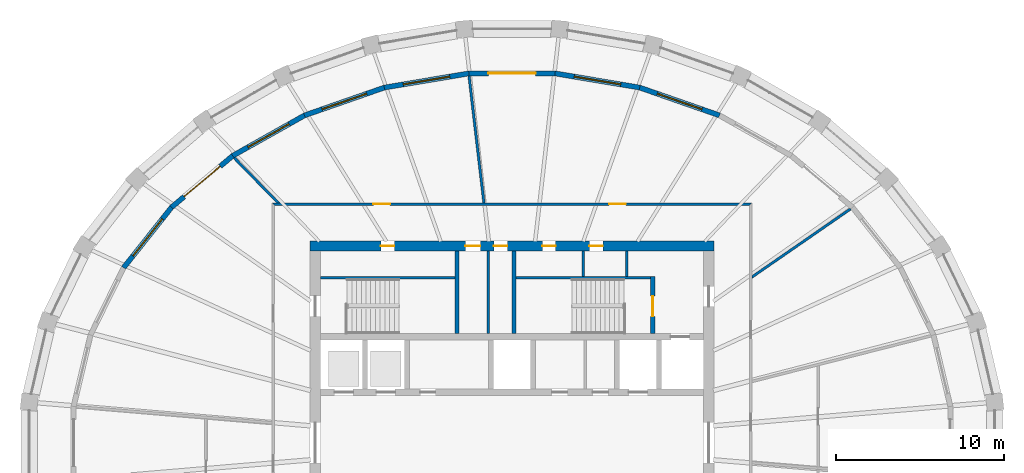
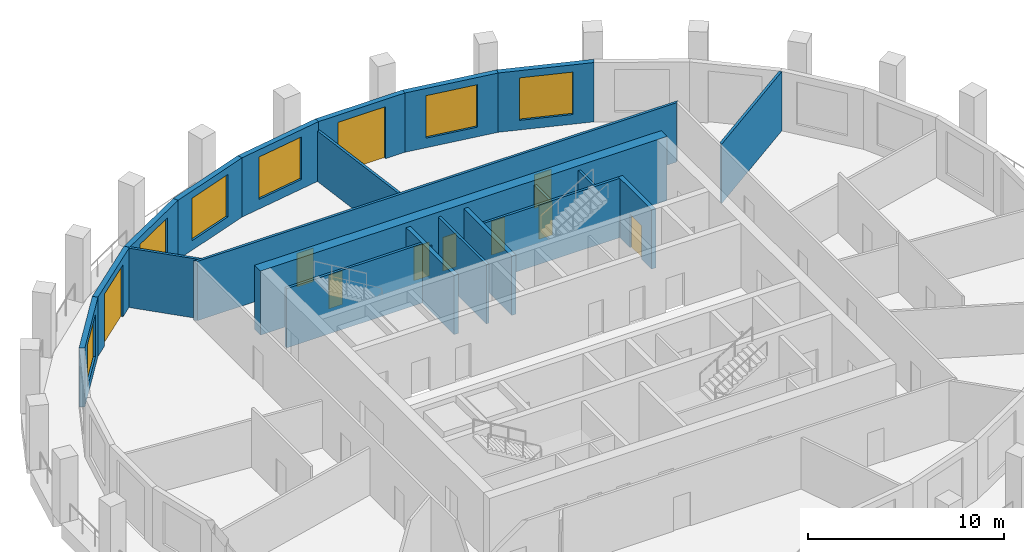
# One storey, part 6 of 10: 21 walls, 10 doors, 6 windows, 16 openings.
"""IFC4 building model written with IfcOpenShell, lengths in metres."""

import ifcopenshell
import ifcopenshell.guid

model = None  # the IFC model being written
_history = None  # IfcOwnerHistory: only IFC2X3 demands one
_inside = {}  # id of a spatial element -> (the spatial element, [elements in it])
_under = {}  # id of a project, library or spatial element -> (it, [spatial elements below it])
_declared = {}  # id of a project -> (the project, [libraries it declares])
_typed = {}  # id of a type object -> (the type object, [elements of that type])
_made_of = {}  # id of a material, layer set ... -> (it, [elements and type objects made of it])


def new_model(schema):
    """Start an empty IFC model of exactly this schema.

    Asked for "IFC4X3", IfcOpenShell would pick the latest addendum, in which some entities
    have other attributes; the version numbers below select the first issue.
    IFC2X3 requires an IfcOwnerHistory on every rooted entity: one is made here for all.
    """
    global model, _history
    if schema == "IFC4X3":
        model = ifcopenshell.file(schema_version=(4, 3, 0, 0))
    else:
        model = ifcopenshell.file(schema=schema)
    _inside.clear()
    _under.clear()
    _declared.clear()
    _typed.clear()
    _made_of.clear()
    _history = None
    if model.schema == "IFC2X3":
        org = make("IfcOrganization", Name="unknown")
        user = make(
            "IfcPersonAndOrganization",
            ThePerson=make("IfcPerson", FamilyName="unknown"),
            TheOrganization=org,
        )
        app = make(
            "IfcApplication",
            ApplicationDeveloper=org,
            Version="unknown",
            ApplicationFullName="unknown",
            ApplicationIdentifier="unknown",
        )
        _history = make(
            "IfcOwnerHistory",
            OwningUser=user,
            OwningApplication=app,
            ChangeAction="ADDED",
            CreationDate=0,
        )
    return model


def make(cls, **values):
    """One entity of the class cls with the attributes given. An attribute that is None is left unset."""
    return model.create_entity(
        cls, **{name: value for name, value in values.items() if value is not None}
    )


def rooted(cls, **values):
    """An entity with a GlobalId (a new one), such as an element, a storey or a relation."""
    return make(cls, GlobalId=ifcopenshell.guid.new(), OwnerHistory=_history, **values)


def si_unit(unit_type, name, prefix=None):
    """IfcSIUnit, for example si_unit("LENGTHUNIT", "METRE", prefix="MILLI")."""
    return make("IfcSIUnit", UnitType=unit_type, Prefix=prefix, Name=name)


def assignment(units):
    """IfcUnitAssignment: the units of a project."""
    return None if units is None else make("IfcUnitAssignment", Units=units)


def point(xyz):
    """IfcCartesianPoint."""
    return None if xyz is None else make("IfcCartesianPoint", Coordinates=xyz)


def direction(xyz):
    """IfcDirection."""
    return None if xyz is None else make("IfcDirection", DirectionRatios=xyz)


def frame(location, z_axis=None, x_axis=None):
    """IfcAxis2Placement3D, a coordinate frame: its origin and axes. An axis left out is left unset."""
    return make(
        "IfcAxis2Placement3D",
        Location=point(location),
        Axis=direction(z_axis),
        RefDirection=direction(x_axis),
    )


def frame_2d(location, x_axis=None):
    """IfcAxis2Placement2D, a coordinate frame in the plane: its origin and x axis."""
    return make(
        "IfcAxis2Placement2D", Location=point(location), RefDirection=direction(x_axis)
    )


def origin():
    """The frame at (0, 0, 0) with its axes left unset."""
    return frame((0.0, 0.0, 0.0))


def place(relative_to, where):
    """IfcLocalPlacement: puts the frame where relative to a parent placement (None: the world)."""
    return make(
        "IfcLocalPlacement", PlacementRelTo=relative_to, RelativePlacement=where
    )


def context(
    kind, dimensions, precision=None, world=None, true_north=None, identifier=None
):
    """IfcGeometricRepresentationContext, for example the 3D "Model" context."""
    return make(
        "IfcGeometricRepresentationContext",
        ContextIdentifier=identifier,
        ContextType=kind,
        CoordinateSpaceDimension=dimensions,
        Precision=precision,
        WorldCoordinateSystem=world,
        TrueNorth=true_north,
    )


def subcontext(parent, identifier, kind, view, scale=None):
    """IfcGeometricRepresentationSubContext, for example "Body" below "Model"."""
    return make(
        "IfcGeometricRepresentationSubContext",
        ContextIdentifier=identifier,
        ContextType=kind,
        ParentContext=parent,
        TargetScale=scale,
        TargetView=view,
    )


def project(units=None, contexts=None):
    """IfcProject with its units and contexts."""
    return rooted(
        "IfcProject",
        Name="project",
        RepresentationContexts=contexts,
        UnitsInContext=assignment(units),
    )


def spatial(cls, under=None, at=None, **own):
    """A site, building, storey or space (cls), placed at a placement, below another one or the project."""
    s = rooted(cls, ObjectPlacement=at, **own)
    if under is not None:
        _under.setdefault(under.id(), (under, []))[1].append(s)
    return s


def polyline(points):
    """IfcPolyline through the points."""
    return make("IfcPolyline", Points=[point(p) for p in points])


def profile(cls, at=None, kind="AREA", **sizes):
    """A parametric profile (cls). Its sizes go by their IFC names, for example OverallWidth=200.0."""
    return make(cls, ProfileType=kind, Position=at, **sizes)


def rectangle(**sizes):
    """IfcRectangleProfileDef."""
    return profile("IfcRectangleProfileDef", **sizes)


def outline(outer, holes=None, kind="AREA"):
    """IfcArbitraryClosedProfileDef: a profile drawn as a closed curve; with holes, ...WithVoids."""
    if holes is None:
        return make("IfcArbitraryClosedProfileDef", ProfileType=kind, OuterCurve=outer)
    return make(
        "IfcArbitraryProfileDefWithVoids",
        ProfileType=kind,
        OuterCurve=outer,
        InnerCurves=holes,
    )


def extrude(swept, where, along, depth):
    """IfcExtrudedAreaSolid: the profile swept, set in the frame where, extruded along a direction by depth."""
    return make(
        "IfcExtrudedAreaSolid",
        SweptArea=swept,
        Position=where,
        ExtrudedDirection=direction(along),
        Depth=depth,
    )


def shape(context_of_items, identifier, shape_type, items):
    """IfcShapeRepresentation: the items that make up one representation, for example the "Body"."""
    return make(
        "IfcShapeRepresentation",
        ContextOfItems=context_of_items,
        RepresentationIdentifier=identifier,
        RepresentationType=shape_type,
        Items=items,
    )


def material(Name=None, Category=None):
    """IfcMaterial."""
    return make("IfcMaterial", Name=Name, Category=Category)


def layer(
    of_material, thickness, ventilated=None, Name=None, Category=None, Priority=None
):
    """IfcMaterialLayer: one layer of a wall or slab, of a material (None: an air gap)."""
    return make(
        "IfcMaterialLayer",
        Material=of_material,
        LayerThickness=thickness,
        IsVentilated=ventilated,
        Name=Name,
        Category=Category,
        Priority=Priority,
    )


def layer_set(layers, Name=None):
    """IfcMaterialLayerSet."""
    return make("IfcMaterialLayerSet", MaterialLayers=layers, LayerSetName=Name)


def made_of(thing, what):
    """Note that an element or type object is made of a material, layer set ...; save() writes the relation."""
    if what is not None:
        _made_of.setdefault(what.id(), (what, []))[1].append(thing)
    return thing


def type_object(cls, material=None, **own):
    """A type object (cls), such as IfcWallType, which elements share."""
    return made_of(rooted(cls, **own), material)


def element(
    cls,
    number,
    at=None,
    inside=None,
    cuts=None,
    type_object=None,
    material=None,
    context=None,
    identifier="Body",
    shape_type=None,
    held_by="IfcProductDefinitionShape",
    body=None,
    shapes=None,
    **own,
):
    """One element of the class cls, such as IfcWall. Its Tag is "e" and its number.

    at: its placement. inside: the storey or other place that contains it. cuts: it is an
    opening in that element (IfcRelVoidsElement). A single representation is given by context,
    identifier, shape_type and body (its items); several are given by shapes. held_by: the class
    of the entity that holds the representations. save() writes the other relations.
    """
    e = rooted(cls, Tag="e%d" % number, ObjectPlacement=at, **own)
    if body is not None:
        shapes = [shape(context, identifier, shape_type, body)]
    if shapes is not None:
        e.Representation = make(held_by, Representations=shapes)
    if inside is not None:
        _inside.setdefault(inside.id(), (inside, []))[1].append(e)
    if cuts is not None:
        rooted(
            "IfcRelVoidsElement", RelatingBuildingElement=cuts, RelatedOpeningElement=e
        )
    if type_object is not None:
        _typed.setdefault(type_object.id(), (type_object, []))[1].append(e)
    return made_of(e, material)


def fill(opening, filler):
    """IfcRelFillsElement: the door or window that sits in an opening."""
    return rooted(
        "IfcRelFillsElement",
        RelatingOpeningElement=opening,
        RelatedBuildingElement=filler,
    )


def aggregate(whole, parts):
    """IfcRelAggregates: a whole, such as a stair, and the parts it consists of."""
    return rooted("IfcRelAggregates", RelatingObject=whole, RelatedObjects=parts)


def save(model, path):
    """Write the relations noted so far, then the file.

    IfcRelAggregates (storeys below a building ...), IfcRelContainedInSpatialStructure (elements
    in a storey), IfcRelDefinesByType, IfcRelAssociatesMaterial and IfcRelDeclares: one each for
    every whole, place, type object, material and project.
    """
    for whole, parts in _under.values():
        aggregate(whole, parts)
    for where, things in _inside.values():
        rooted(
            "IfcRelContainedInSpatialStructure",
            RelatedElements=things,
            RelatingStructure=where,
        )
    for kind, things in _typed.values():
        rooted("IfcRelDefinesByType", RelatedObjects=things, RelatingType=kind)
    for what, things in _made_of.values():
        rooted("IfcRelAssociatesMaterial", RelatedObjects=things, RelatingMaterial=what)
    for by, libraries in _declared.values():
        rooted("IfcRelDeclares", RelatingContext=by, RelatedDefinitions=libraries)
    model.write(path)


model = new_model("IFC4")

# Units and contexts
model_context = context("Model", 3, precision=1e-05, world=origin(), true_north=direction((0.0, 1.0)))
body_context = subcontext(model_context, "Body", "Model", "MODEL_VIEW")
ifc_project = project(units=[si_unit("LENGTHUNIT", "METRE"), si_unit("AREAUNIT", "SQUARE_METRE"), si_unit("VOLUMEUNIT", "CUBIC_METRE"), si_unit("PLANEANGLEUNIT", "RADIAN"), si_unit("MASSUNIT", "GRAM", prefix="KILO")], contexts=[model_context])

# Site, building, storey
site_placement = place(None, origin())
site = spatial("IfcSite", under=ifc_project, at=site_placement, CompositionType="ELEMENT")
building_placement = place(site_placement, origin())
building = spatial("IfcBuilding", under=site, at=building_placement, Name="Halqa Exchange Tower", CompositionType="ELEMENT")
storey_placement = place(building_placement, frame((0.0, 0.0, 304.300048828125)))
storey = spatial("IfcBuildingStorey", under=building, at=storey_placement, Name="L71", CompositionType="ELEMENT", Elevation=304.300048828125)

# Wall
ifc_material_1 = material(Name="Fire-rated gypsum board")
ifc_layer_1 = layer(ifc_material_1, 0.14990234375)
ifc_layer_set_1 = layer_set([ifc_layer_1], Name="Fire-rated gypsum board")
wall_type_1 = type_object("IfcWallType", Name="Fire partition EI 60 150", PredefinedType="PARTITIONING", material=ifc_layer_set_1)
wall_1_placement = place(storey_placement, frame((-16.524658203125, 16.94970703125, 0.0), z_axis=(0.0, 0.0, 1.0), x_axis=(0.698599984797, -0.715512446602, 0.0)))
element("IfcWall", 1, at=wall_1_placement, inside=storey, type_object=wall_type_1, Name="L71-PWL-004", PredefinedType="PARTITIONING", context=body_context, shape_type="SweptSolid", body=[
    extrude(outline(polyline([(0.0, -0.074951171875), (1.83251953125, -0.074951171875), (3.6650390625, -0.074951171875), (3.81103515625, 0.07470703125), (3.81103515625, 0.074951171875), (1.918212890625, 0.074951171875), (0.025390625, 0.074951171875), (0.00537109375, 0.0), (0.0, -0.07373046875), (0.0, -0.074951171875)])), origin(), (0.0, 0.0, 1.0), 3.699951171875),
])

# Wall, openings, doors
wall_2_placement = place(storey_placement, frame((-14.27490234375, 14.199951171875, 0.0), z_axis=(0.0, 0.0, 1.0), x_axis=(1.0, 0.0, 0.0)))
wall_2 = element("IfcWall", 2, at=wall_2_placement, inside=storey, type_object=wall_type_1, Name="L71-PWL-008", PredefinedType="PARTITIONING", context=body_context, shape_type="SweptSolid", body=[
    extrude(outline(polyline([(0.14990234375, -0.074951171875), (2.033203125, -0.074951171875), (3.91650390625, -0.074951171875), (5.7998046875, -0.074951171875), (7.683349609375, -0.074951171875), (9.566650390625, -0.074951171875), (11.449951171875, -0.074951171875), (13.333251953125, -0.074951171875), (15.216552734375, -0.074951171875), (17.099853515625, -0.074951171875), (18.983154296875, -0.074951171875), (20.866455078125, -0.074951171875), (22.75, -0.074951171875), (24.63330078125, -0.074951171875), (26.5166015625, -0.074951171875), (28.39990234375, -0.074951171875), (28.5498046875, 0.074951171875), (28.5498046875, 0.074951171875), (26.646484375, 0.074951171875), (24.7431640625, 0.074951171875), (22.83984375, 0.074951171875), (20.9365234375, 0.074951171875), (19.033203125, 0.074951171875), (17.1298828125, 0.074951171875), (15.2265625, 0.074951171875), (13.3232421875, 0.074951171875), (11.419921875, 0.074951171875), (9.5166015625, 0.074951171875), (7.61328125, 0.074951171875), (5.7099609375, 0.074951171875), (3.806640625, 0.074951171875), (1.9033203125, 0.074951171875), (0.0, 0.074951171875), (0.14990234375, -0.074951171875)])), origin(), (0.0, 0.0, 1.0), 3.699951171875),
])
opening_1_placement = place(wall_2_placement, frame((20.044921875, 0.0, 0.0)))
opening_1 = element("IfcOpeningElement", 3, at=opening_1_placement, cuts=wall_2, Name="Opening 22-11", PredefinedType="OPENING", context=body_context, shape_type="SweptSolid", body=[
    extrude(rectangle(XDim=1.0, YDim=2.10009765625, at=frame_2d((0.5, 1.050048828125))), frame((0.0, 0.0869140625, 0.0), z_axis=(0.0, -1.0, 0.0), x_axis=(1.0, 0.0, 0.0)), (0.0, 0.0, 1.0), 0.173828125),
])
opening_2_placement = place(wall_2_placement, frame((6.02490234375, 0.0, 0.0)))
opening_2 = element("IfcOpeningElement", 4, at=opening_2_placement, cuts=wall_2, Name="Opening 22-12", PredefinedType="OPENING", context=body_context, shape_type="SweptSolid", body=[
    extrude(rectangle(XDim=1.0, YDim=2.10009765625, at=frame_2d((0.5, 1.050048828125))), frame((0.0, 0.0869140625, 0.0), z_axis=(0.0, -1.0, 0.0), x_axis=(1.0, 0.0, 0.0)), (0.0, 0.0, 1.0), 0.173828125),
])
ifc_material_2 = material(Name="Steel fire door leaf", Category="steel")
door_type_1 = type_object("IfcDoorType", Name="Fire door FD30S 1000 x 2100", OperationType="SINGLE_SWING_LEFT", PredefinedType="DOOR", material=ifc_material_2)
door_1_placement = place(opening_1_placement, origin())
door_1 = element("IfcDoor", 5, at=door_1_placement, inside=storey, type_object=door_type_1, Name="L71-IDR-011", OperationType="SINGLE_SWING_RIGHT", OverallHeight=2.10009765625, OverallWidth=1.0, PredefinedType="DOOR", context=body_context, shape_type="SweptSolid", body=[
    extrude(rectangle(XDim=1.0, YDim=2.10009765625, at=frame_2d((0.5, 1.050048828125))), frame((0.0, 0.02490234375, 0.0), z_axis=(0.0, -1.0, 0.0), x_axis=(1.0, 0.0, 0.0)), (0.0, 0.0, 1.0), 0.050048828125),
])
fill(opening_1, door_1)
door_2_placement = place(opening_2_placement, origin())
door_2 = element("IfcDoor", 6, at=door_2_placement, inside=storey, type_object=door_type_1, Name="L71-IDR-012", OperationType="SINGLE_SWING_RIGHT", OverallHeight=2.10009765625, OverallWidth=1.0, PredefinedType="DOOR", context=body_context, shape_type="SweptSolid", body=[
    extrude(rectangle(XDim=1.0, YDim=2.10009765625, at=frame_2d((0.5, 1.050048828125))), frame((0.0, 0.02490234375, 0.0), z_axis=(0.0, -1.0, 0.0), x_axis=(1.0, 0.0, 0.0)), (0.0, 0.0, 1.0), 0.050048828125),
])
fill(opening_2, door_2)

# Walls
wall_3_placement = place(storey_placement, frame((-1.667724609375, 14.2666015625, 0.0), z_axis=(0.0, 0.0, 1.0), x_axis=(-0.116619367809, 0.993176682696, 0.0)))
element("IfcWall", 7, at=wall_3_placement, inside=storey, type_object=wall_type_1, Name="L71-PWL-010", PredefinedType="PARTITIONING", context=body_context, shape_type="SweptSolid", body=[
    extrude(outline(polyline([(0.0, -0.074951171875), (1.898193359375, -0.074951171875), (3.79638671875, -0.074951171875), (5.694580078125, -0.074951171875), (7.5927734375, -0.074951171875), (7.59716796875, -0.03662109375), (7.59716796875, 0.074951171875), (5.7021484375, 0.074951171875), (3.80712890625, 0.074951171875), (1.912353515625, 0.074951171875), (0.017333984375, 0.074951171875), (0.0, -0.072021484375), (0.0, -0.074951171875)])), origin(), (0.0, 0.0, 1.0), 3.14990234375),
])
wall_4_placement = place(storey_placement, frame((14.232421875, 9.83251953125, 0.0), z_axis=(0.0, 0.0, 1.0), x_axis=(0.822725997435, 0.568438152436, 0.0)))
element("IfcWall", 8, at=wall_4_placement, inside=storey, type_object=wall_type_1, Name="L71-PWL-017", PredefinedType="PARTITIONING", context=body_context, shape_type="SweptSolid", body=[
    extrude(outline(polyline([(0.0, -0.074951171875), (1.79345703125, -0.074951171875), (3.5869140625, -0.074951171875), (5.38037109375, -0.074951171875), (7.173828125, -0.074951171875), (7.1689453125, -0.000732421875), (7.148193359375, 0.074951171875), (5.386962890625, 0.074951171875), (3.6259765625, 0.074951171875), (1.86474609375, 0.074951171875), (0.103515625, 0.074951171875), (0.0, -0.074951171875), (0.0, -0.074951171875)])), origin(), (0.0, 0.0, 1.0), 3.699951171875),
])
ifc_material_3 = material(Name="Gypsum board")
ifc_layer_2 = layer(ifc_material_3, 0.14990234375)
ifc_layer_set_2 = layer_set([ifc_layer_2], Name="Gypsum board")
wall_type_2 = type_object("IfcWallType", Name="Penthouse riser wall 150 gypsum", PredefinedType="PARTITIONING", material=ifc_layer_set_2)
wall_5_placement = place(storey_placement, frame((-1.425048828125, 6.5, 0.0), z_axis=(0.0, 0.0, 1.0), x_axis=(0.0, 1.0, 0.0)))
element("IfcWall", 9, at=wall_5_placement, inside=storey, type_object=wall_type_2, Name="Partition W1.425 N", PredefinedType="PARTITIONING", context=body_context, shape_type="SweptSolid", body=[
    extrude(rectangle(XDim=4.89990234375, YDim=0.14990234375, at=frame_2d((2.449951171875, 0.0))), origin(), (0.0, 0.0, 1.0), 3.699951171875),
])
for number, where, z_axis, x_axis, name in (
    (10, (4.22509765625, 9.89990234375, 0.0), (0.0, 0.0, 1.0), (0.0, 1.0, 0.0), "Partition E4.225 N"),
    (11, (6.824951171875, 9.89990234375, 0.0), (0.0, 0.0, 1.0), (0.0, 1.0, 0.0), "Firefighting lobby west wall N"),
):
    element("IfcWall", number, at=place(storey_placement, frame(where, z_axis=z_axis, x_axis=x_axis)), inside=storey, type_object=wall_type_2, Name=name, PredefinedType="PARTITIONING", context=body_context, shape_type="SweptSolid", body=[
        extrude(rectangle(XDim=1.5, YDim=0.14990234375, at=frame_2d((0.75, 0.0))), origin(), (0.0, 0.0, 1.0), 3.699951171875),
    ])

# Wall, openings, doors
ifc_material_4 = material(Name="Concrete C60/75", Category="concrete")
ifc_layer_3 = layer(ifc_material_4, 0.60009765625)
ifc_layer_set_3 = layer_set([ifc_layer_3], Name="Concrete C60/75")
wall_type_3 = type_object("IfcWallType", Name="RC core wall 600 C60/75", PredefinedType="SHEAR", material=ifc_layer_set_3)
wall_6_placement = place(storey_placement, frame((-12.0, 11.699951171875, 0.0), z_axis=(0.0, 0.0, 1.0), x_axis=(1.0, 0.0, 0.0)))
wall_6 = element("IfcWall", 12, at=wall_6_placement, inside=storey, type_object=wall_type_3, Name="Core wall north", PredefinedType="SHEAR", context=body_context, shape_type="SweptSolid", body=[
    extrude(rectangle(XDim=24.0, YDim=0.60009765625, at=frame_2d((12.0, 0.0))), origin(), (0.0, 0.0, 1.0), 4.0),
])
opening_3_placement = place(wall_6_placement, frame((9.22509765625, 0.0, 0.0)))
opening_3 = element("IfcOpeningElement", 13, at=opening_3_placement, cuts=wall_6, Name="Opening T22-C17", PredefinedType="OPENING", context=body_context, shape_type="SweptSolid", body=[
    extrude(rectangle(XDim=0.89990234375, YDim=2.10009765625, at=frame_2d((0.449951171875, 1.050048828125))), frame((0.0, 0.31201171875, 0.0), z_axis=(0.0, -1.0, 0.0), x_axis=(1.0, 0.0, 0.0)), (0.0, 0.0, 1.0), 0.6240234375),
])
opening_4_placement = place(wall_6_placement, frame((10.925048828125, 0.0, 0.0)))
opening_4 = element("IfcOpeningElement", 14, at=opening_4_placement, cuts=wall_6, Name="Opening T22-C18", PredefinedType="OPENING", context=body_context, shape_type="SweptSolid", body=[
    extrude(rectangle(XDim=0.800048828125, YDim=2.10009765625, at=frame_2d((0.39990234375, 1.050048828125))), frame((0.0, 0.31201171875, 0.0), z_axis=(0.0, -1.0, 0.0), x_axis=(1.0, 0.0, 0.0)), (0.0, 0.0, 1.0), 0.6240234375),
])
opening_5_placement = place(wall_6_placement, frame((4.199951171875, 0.0, 0.0)))
opening_5 = element("IfcOpeningElement", 15, at=opening_5_placement, cuts=wall_6, Name="Opening T22-C19", PredefinedType="OPENING", context=body_context, shape_type="SweptSolid", body=[
    extrude(rectangle(XDim=0.800048828125, YDim=2.10009765625, at=frame_2d((0.39990234375, 1.050048828125))), frame((0.0, 0.31201171875, 0.0), z_axis=(0.0, -1.0, 0.0), x_axis=(1.0, 0.0, 0.0)), (0.0, 0.0, 1.0), 0.6240234375),
])
opening_6_placement = place(wall_6_placement, frame((13.800048828125, 0.0, 0.0)))
opening_6 = element("IfcOpeningElement", 16, at=opening_6_placement, cuts=wall_6, Name="Opening T22-C20", PredefinedType="OPENING", context=body_context, shape_type="SweptSolid", body=[
    extrude(rectangle(XDim=0.800048828125, YDim=2.10009765625, at=frame_2d((0.39990234375, 1.050048828125))), frame((0.0, 0.31201171875, 0.0), z_axis=(0.0, -1.0, 0.0), x_axis=(1.0, 0.0, 0.0)), (0.0, 0.0, 1.0), 0.6240234375),
])
opening_7_placement = place(wall_6_placement, frame((16.60009765625, 0.0, 0.0)))
opening_7 = element("IfcOpeningElement", 17, at=opening_7_placement, cuts=wall_6, Name="Opening T22-C21", PredefinedType="OPENING", context=body_context, shape_type="SweptSolid", body=[
    extrude(rectangle(XDim=0.800048828125, YDim=2.10009765625, at=frame_2d((0.39990234375, 1.050048828125))), frame((0.0, 0.31201171875, 0.0), z_axis=(0.0, -1.0, 0.0), x_axis=(1.0, 0.0, 0.0)), (0.0, 0.0, 1.0), 0.6240234375),
])
ifc_material_5 = material(Name="Timber fire door leaf", Category="wood")
door_type_2 = type_object("IfcDoorType", Name="Core room door FD30 900 x 2100", OperationType="SINGLE_SWING_LEFT", PredefinedType="DOOR", material=ifc_material_5)
door_3_placement = place(opening_3_placement, frame((0.89990234375, 0.0, 0.0), z_axis=(0.0, 0.0, 1.0), x_axis=(-1.0, 0.0, 0.0)))
door_3 = element("IfcDoor", 18, at=door_3_placement, inside=storey, type_object=door_type_2, Name="Core room door", OperationType="SINGLE_SWING_RIGHT", OverallHeight=2.10009765625, OverallWidth=0.89990234375, PredefinedType="DOOR", context=body_context, shape_type="SweptSolid", body=[
    extrude(rectangle(XDim=0.89990234375, YDim=2.10009765625, at=frame_2d((0.449951171875, 1.050048828125))), frame((0.0, 0.02490234375, 0.0), z_axis=(0.0, -1.0, 0.0), x_axis=(1.0, 0.0, 0.0)), (0.0, 0.0, 1.0), 0.050048828125),
])
fill(opening_3, door_3)
door_type_3 = type_object("IfcDoorType", Name="Riser door FD60 800 x 2100", OperationType="SINGLE_SWING_LEFT", PredefinedType="DOOR", material=ifc_material_2)
door_4_placement = place(opening_4_placement, frame((0.800048828125, 0.0, 0.0), z_axis=(0.0, 0.0, 1.0), x_axis=(-1.0, 0.0, 0.0)))
door_4 = element("IfcDoor", 19, at=door_4_placement, inside=storey, type_object=door_type_3, Name="Core room door", OperationType="SINGLE_SWING_LEFT", OverallHeight=2.10009765625, OverallWidth=0.800048828125, PredefinedType="DOOR", context=body_context, shape_type="SweptSolid", body=[
    extrude(rectangle(XDim=0.800048828125, YDim=2.10009765625, at=frame_2d((0.39990234375, 1.050048828125))), frame((0.0, 0.02490234375, 0.0), z_axis=(0.0, -1.0, 0.0), x_axis=(1.0, 0.0, 0.0)), (0.0, 0.0, 1.0), 0.050048828125),
])
fill(opening_4, door_4)
door_5_placement = place(opening_5_placement, frame((0.800048828125, 0.0, 0.0), z_axis=(0.0, 0.0, 1.0), x_axis=(-1.0, 0.0, 0.0)))
door_5 = element("IfcDoor", 20, at=door_5_placement, inside=storey, type_object=door_type_3, Name="Core room door", OperationType="SINGLE_SWING_LEFT", OverallHeight=2.10009765625, OverallWidth=0.800048828125, PredefinedType="DOOR", context=body_context, shape_type="SweptSolid", body=[
    extrude(rectangle(XDim=0.800048828125, YDim=2.10009765625, at=frame_2d((0.39990234375, 1.050048828125))), frame((0.0, 0.02490234375, 0.0), z_axis=(0.0, -1.0, 0.0), x_axis=(1.0, 0.0, 0.0)), (0.0, 0.0, 1.0), 0.050048828125),
])
fill(opening_5, door_5)
door_6_placement = place(opening_6_placement, frame((0.800048828125, 0.0, 0.0), z_axis=(0.0, 0.0, 1.0), x_axis=(-1.0, 0.0, 0.0)))
door_6 = element("IfcDoor", 21, at=door_6_placement, inside=storey, type_object=door_type_3, Name="Core room door", OperationType="SINGLE_SWING_RIGHT", OverallHeight=2.10009765625, OverallWidth=0.800048828125, PredefinedType="DOOR", context=body_context, shape_type="SweptSolid", body=[
    extrude(rectangle(XDim=0.800048828125, YDim=2.10009765625, at=frame_2d((0.39990234375, 1.050048828125))), frame((0.0, 0.02490234375, 0.0), z_axis=(0.0, -1.0, 0.0), x_axis=(1.0, 0.0, 0.0)), (0.0, 0.0, 1.0), 0.050048828125),
])
fill(opening_6, door_6)
door_7_placement = place(opening_7_placement, frame((0.800048828125, 0.0, 0.0), z_axis=(0.0, 0.0, 1.0), x_axis=(-1.0, 0.0, 0.0)))
door_7 = element("IfcDoor", 22, at=door_7_placement, inside=storey, type_object=door_type_3, Name="Core room door", OperationType="SINGLE_SWING_LEFT", OverallHeight=2.10009765625, OverallWidth=0.800048828125, PredefinedType="DOOR", context=body_context, shape_type="SweptSolid", body=[
    extrude(rectangle(XDim=0.800048828125, YDim=2.10009765625, at=frame_2d((0.39990234375, 1.050048828125))), frame((0.0, 0.02490234375, 0.0), z_axis=(0.0, -1.0, 0.0), x_axis=(1.0, 0.0, 0.0)), (0.0, 0.0, 1.0), 0.050048828125),
])
fill(opening_7, door_7)

# Walls
ifc_material_6 = material(Name="Concrete C30/37", Category="concrete")
ifc_layer_4 = layer(ifc_material_6, 0.14990234375)
ifc_layer_set_4 = layer_set([ifc_layer_4], Name="Concrete C30/37")
wall_type_4 = type_object("IfcWallType", Name="RC stair wall 150 C30/37", PredefinedType="SHEAR", material=ifc_layer_set_4)
for number, where, z_axis, x_axis, name in (
    (23, (-11.39990234375, 9.824951171875, 0.0), (0.0, 0.0, 1.0), (1.0, 0.0, 0.0), "Stair ST1 north wall N"),
    (24, (0.25, 9.824951171875, 0.0), (0.0, 0.0, 1.0), (1.0, 0.0, 0.0), "Stair ST2 north wall N"),
):
    element("IfcWall", number, at=place(storey_placement, frame(where, z_axis=z_axis, x_axis=x_axis)), inside=storey, type_object=wall_type_4, Name=name, PredefinedType="SHEAR", context=body_context, shape_type="SweptSolid", body=[
        extrude(rectangle(XDim=8.0, YDim=0.14990234375, at=frame_2d((4.0, 0.0))), origin(), (0.0, 0.0, 1.0), 3.699951171875),
    ])
ifc_layer_5 = layer(ifc_material_6, 0.25)
ifc_layer_set_5 = layer_set([ifc_layer_5], Name="Concrete C30/37")
wall_type_5 = type_object("IfcWallType", Name="RC stair wall 250 C30/37", PredefinedType="SHEAR", material=ifc_layer_set_5)
for number, where, z_axis, x_axis, name in (
    (25, (-3.27490234375, 6.5, 0.0), (0.0, 0.0, 1.0), (0.0, 1.0, 0.0), "Stair ST1 east wall N"),
    (26, (0.125, 6.5, 0.0), (0.0, 0.0, 1.0), (0.0, 1.0, 0.0), "Stair ST2 west wall N"),
):
    element("IfcWall", number, at=place(storey_placement, frame(where, z_axis=z_axis, x_axis=x_axis)), inside=storey, type_object=wall_type_5, Name=name, PredefinedType="SHEAR", context=body_context, shape_type="SweptSolid", body=[
        extrude(rectangle(XDim=4.89990234375, YDim=0.25, at=frame_2d((2.449951171875, 0.0))), origin(), (0.0, 0.0, 1.0), 3.699951171875),
    ])

# Wall, opening, door
wall_7_placement = place(storey_placement, frame((8.375, 6.5, 0.0), z_axis=(0.0, 0.0, 1.0), x_axis=(0.0, 1.0, 0.0)))
wall_7 = element("IfcWall", 27, at=wall_7_placement, inside=storey, type_object=wall_type_5, Name="Stair ST2 east wall N", PredefinedType="SHEAR", context=body_context, shape_type="SweptSolid", body=[
    extrude(rectangle(XDim=3.39990234375, YDim=0.25, at=frame_2d((1.699951171875, 0.0))), origin(), (0.0, 0.0, 1.0), 3.699951171875),
])
opening_8_placement = place(wall_7_placement, frame((1.02490234375, 0.0, 0.0)))
opening_8 = element("IfcOpeningElement", 28, at=opening_8_placement, cuts=wall_7, Name="Opening T22-C12", PredefinedType="OPENING", context=body_context, shape_type="SweptSolid", body=[
    extrude(rectangle(XDim=1.199951171875, YDim=2.10009765625, at=frame_2d((0.60009765625, 1.050048828125))), frame((0.0, 0.136962890625, 0.0), z_axis=(0.0, -1.0, 0.0), x_axis=(1.0, 0.0, 0.0)), (0.0, 0.0, 1.0), 0.27392578125),
])
door_type_4 = type_object("IfcDoorType", Name="Stair door FD90 1200 x 2100", OperationType="SINGLE_SWING_LEFT", PredefinedType="DOOR", material=ifc_material_2)
door_8_placement = place(opening_8_placement, origin())
door_8 = element("IfcDoor", 29, at=door_8_placement, inside=storey, type_object=door_type_4, Name="Stair door ST2", OperationType="SINGLE_SWING_RIGHT", OverallHeight=2.10009765625, OverallWidth=1.199951171875, PredefinedType="DOOR", context=body_context, shape_type="SweptSolid", body=[
    extrude(rectangle(XDim=1.199951171875, YDim=2.10009765625, at=frame_2d((0.60009765625, 1.050048828125))), frame((0.0, 0.02490234375, 0.0), z_axis=(0.0, -1.0, 0.0), x_axis=(1.0, 0.0, 0.0)), (0.0, 0.0, 1.0), 0.050048828125),
])
fill(opening_8, door_8)

# Wall, opening, window
ifc_material_7 = material(Name="Limestone cladding", Category="masonry")
ifc_layer_6 = layer(ifc_material_7, 0.0400390625)
ifc_material_8 = material(Name="Ventilated cavity")
ifc_layer_7 = layer(ifc_material_8, 0.030029296875, ventilated=True)
ifc_material_9 = material(Name="Mineral wool insulation")
ifc_layer_8 = layer(ifc_material_9, 0.10009765625)
ifc_layer_9 = layer(ifc_material_6, 0.10009765625)
ifc_material_10 = material(Name="Internal plaster")
ifc_layer_10 = layer(ifc_material_10, 0.030029296875)
ifc_layer_set_6 = layer_set([ifc_layer_6, ifc_layer_7, ifc_layer_8, ifc_layer_9, ifc_layer_10], Name="Stone-faced insulated wall 300")
wall_type_6 = type_object("IfcWallType", Name="Stone-faced insulated wall 300", PredefinedType="STANDARD", material=ifc_layer_set_6)
wall_8_placement = place(storey_placement, frame((12.338134765625, 19.470703125, 0.0), z_axis=(0.0, 0.0, 1.0), x_axis=(-0.944251863618, 0.329223963365, 0.0)))
wall_8 = element("IfcWall", 30, at=wall_8_placement, inside=storey, type_object=wall_type_6, Name="Glass-line wall 6", PredefinedType="STANDARD", context=body_context, shape_type="SweptSolid", body=[
    extrude(outline(polyline([(-0.01318359375, -0.14990234375), (5.033935546875, -0.14990234375), (5.008544921875, 0.14990234375), (0.01318359375, 0.14990234375), (-0.01318359375, -0.14990234375)])), origin(), (0.0, 0.0, 1.0), 3.699951171875),
])
opening_9_placement = place(wall_8_placement, frame((1.110595703125, 0.0, 0.60009765625)))
opening_9 = element("IfcOpeningElement", 31, at=opening_9_placement, cuts=wall_8, Name="Opening W-F4-06", PredefinedType="OPENING", context=body_context, shape_type="SweptSolid", body=[
    extrude(rectangle(XDim=2.800048828125, YDim=2.64990234375, at=frame_2d((1.39990234375, 1.324951171875))), frame((0.0, 0.162109375, 0.0), z_axis=(0.0, -1.0, 0.0), x_axis=(1.0, 0.0, 0.0)), (0.0, 0.0, 1.0), 0.323974609375),
])
ifc_material_11 = material(Name="Clear low-emissivity glass in aluminium frame", Category="aluminium")
window_type = type_object("IfcWindowType", Name="Fixed clear glazed window 2800 x 2650", PartitioningType="DOUBLE_PANEL_VERTICAL", PredefinedType="WINDOW", material=ifc_material_11)
window_1_placement = place(opening_9_placement, origin())
window_1 = element("IfcWindow", 32, at=window_1_placement, inside=storey, type_object=window_type, Name="Window 4", OverallHeight=2.64990234375, OverallWidth=2.800048828125, PartitioningType="DOUBLE_PANEL_VERTICAL", PredefinedType="WINDOW", context=body_context, shape_type="SweptSolid", body=[
    extrude(rectangle(XDim=2.800048828125, YDim=2.64990234375, at=frame_2d((1.39990234375, 1.324951171875))), frame((0.0, 0.030029296875, 0.0), z_axis=(0.0, -1.0, 0.0), x_axis=(1.0, 0.0, 0.0)), (0.0, 0.0, 1.0), 0.06005859375),
])
fill(opening_9, window_1)

wall_9_placement = place(storey_placement, frame((7.596923828125, 21.123779296875, 0.0), z_axis=(0.0, 0.0, 1.0), x_axis=(-0.986269480969, 0.165143909695, 0.0)))
wall_9 = element("IfcWall", 33, at=wall_9_placement, inside=storey, type_object=wall_type_6, Name="Glass-line wall 7", PredefinedType="STANDARD", context=body_context, shape_type="SweptSolid", body=[
    extrude(outline(polyline([(-0.0126953125, -0.14990234375), (5.1142578125, -0.14990234375), (5.08935546875, 0.14990234375), (0.0126953125, 0.14990234375), (-0.0126953125, -0.14990234375)])), origin(), (0.0, 0.0, 1.0), 3.699951171875),
])
opening_10_placement = place(wall_9_placement, frame((1.15087890625, 0.0, 0.60009765625)))
opening_10 = element("IfcOpeningElement", 34, at=opening_10_placement, cuts=wall_9, Name="Opening W-F4-07", PredefinedType="OPENING", context=body_context, shape_type="SweptSolid", body=[
    extrude(rectangle(XDim=2.800048828125, YDim=2.64990234375, at=frame_2d((1.39990234375, 1.324951171875))), frame((0.0, 0.162109375, 0.0), z_axis=(0.0, -1.0, 0.0), x_axis=(1.0, 0.0, 0.0)), (0.0, 0.0, 1.0), 0.323974609375),
])
window_2_placement = place(opening_10_placement, origin())
window_2 = element("IfcWindow", 35, at=window_2_placement, inside=storey, type_object=window_type, Name="Window 4", OverallHeight=2.64990234375, OverallWidth=2.800048828125, PartitioningType="DOUBLE_PANEL_VERTICAL", PredefinedType="WINDOW", context=body_context, shape_type="SweptSolid", body=[
    extrude(rectangle(XDim=2.800048828125, YDim=2.64990234375, at=frame_2d((1.39990234375, 1.324951171875))), frame((0.0, 0.030029296875, 0.0), z_axis=(0.0, -1.0, 0.0), x_axis=(1.0, 0.0, 0.0)), (0.0, 0.0, 1.0), 0.06005859375),
])
fill(opening_10, window_2)

# Wall, opening, door
wall_10_placement = place(storey_placement, frame((2.565185546875, 21.96630859375, 0.0), z_axis=(0.0, 0.0, 1.0), x_axis=(-1.0, 0.0, 0.0)))
wall_10 = element("IfcWall", 36, at=wall_10_placement, inside=storey, type_object=wall_type_6, Name="Glass-line wall 8", PredefinedType="STANDARD", context=body_context, shape_type="SweptSolid", body=[
    extrude(outline(polyline([(-0.012451171875, -0.14990234375), (5.142822265625, -0.14990234375), (5.117919921875, 0.14990234375), (0.012451171875, 0.14990234375), (-0.012451171875, -0.14990234375)])), origin(), (0.0, 0.0, 1.0), 3.699951171875),
])
opening_11_placement = place(wall_10_placement, frame((1.1650390625, 0.0, 0.0)))
opening_11 = element("IfcOpeningElement", 37, at=opening_11_placement, cuts=wall_10, Name="Opening LG-F4-02", PredefinedType="OPENING", context=body_context, shape_type="SweptSolid", body=[
    extrude(rectangle(XDim=2.800048828125, YDim=3.25, at=frame_2d((1.39990234375, 1.625))), frame((0.0, 0.162109375, 0.0), z_axis=(0.0, -1.0, 0.0), x_axis=(1.0, 0.0, 0.0)), (0.0, 0.0, 1.0), 0.323974609375),
])
door_type_5 = type_object("IfcDoorType", Name="Glazed sliding loggia door 2800 x 3250", OperationType="DOUBLE_DOOR_SLIDING", PredefinedType="DOOR", material=ifc_material_11)
door_9_placement = place(opening_11_placement, origin())
door_9 = element("IfcDoor", 38, at=door_9_placement, inside=storey, type_object=door_type_5, Name="Loggia door 2", OperationType="DOUBLE_DOOR_SLIDING", OverallHeight=3.25, OverallWidth=2.800048828125, PredefinedType="DOOR", context=body_context, shape_type="SweptSolid", body=[
    extrude(rectangle(XDim=2.800048828125, YDim=3.25, at=frame_2d((1.39990234375, 1.625))), frame((0.0, 0.02490234375, 0.0), z_axis=(0.0, -1.0, 0.0), x_axis=(1.0, 0.0, 0.0)), (0.0, 0.0, 1.0), 0.050048828125),
])
fill(opening_11, door_9)

# Wall, opening, window
wall_11_placement = place(storey_placement, frame((-2.565185546875, 21.96630859375, 0.0), z_axis=(0.0, 0.0, 1.0), x_axis=(-0.986269480969, -0.165143909695, 0.0)))
wall_11 = element("IfcWall", 39, at=wall_11_placement, inside=storey, type_object=wall_type_6, Name="Glass-line wall 9", PredefinedType="STANDARD", context=body_context, shape_type="SweptSolid", body=[
    extrude(outline(polyline([(-0.012451171875, -0.14990234375), (5.114501953125, -0.14990234375), (5.089111328125, 0.14990234375), (0.012451171875, 0.14990234375), (-0.012451171875, -0.14990234375)])), origin(), (0.0, 0.0, 1.0), 3.699951171875),
])
opening_12_placement = place(wall_11_placement, frame((1.15087890625, 0.0, 0.60009765625)))
opening_12 = element("IfcOpeningElement", 40, at=opening_12_placement, cuts=wall_11, Name="Opening W-F4-09", PredefinedType="OPENING", context=body_context, shape_type="SweptSolid", body=[
    extrude(rectangle(XDim=2.800048828125, YDim=2.64990234375, at=frame_2d((1.39990234375, 1.324951171875))), frame((0.0, 0.162109375, 0.0), z_axis=(0.0, -1.0, 0.0), x_axis=(1.0, 0.0, 0.0)), (0.0, 0.0, 1.0), 0.323974609375),
])
window_3_placement = place(opening_12_placement, origin())
window_3 = element("IfcWindow", 41, at=window_3_placement, inside=storey, type_object=window_type, Name="Window 4", OverallHeight=2.64990234375, OverallWidth=2.800048828125, PartitioningType="DOUBLE_PANEL_VERTICAL", PredefinedType="WINDOW", context=body_context, shape_type="SweptSolid", body=[
    extrude(rectangle(XDim=2.800048828125, YDim=2.64990234375, at=frame_2d((1.39990234375, 1.324951171875))), frame((0.0, 0.030029296875, 0.0), z_axis=(0.0, -1.0, 0.0), x_axis=(1.0, 0.0, 0.0)), (0.0, 0.0, 1.0), 0.06005859375),
])
fill(opening_12, window_3)

wall_12_placement = place(storey_placement, frame((-7.596923828125, 21.123779296875, 0.0), z_axis=(0.0, 0.0, 1.0), x_axis=(-0.944251863618, -0.329223963365, 0.0)))
wall_12 = element("IfcWall", 42, at=wall_12_placement, inside=storey, type_object=wall_type_6, Name="Glass-line wall 10", PredefinedType="STANDARD", context=body_context, shape_type="SweptSolid", body=[
    extrude(outline(polyline([(-0.0126953125, -0.14990234375), (5.034423828125, -0.14990234375), (5.008056640625, 0.14990234375), (0.0126953125, 0.14990234375), (-0.0126953125, -0.14990234375)])), origin(), (0.0, 0.0, 1.0), 3.699951171875),
])
opening_13_placement = place(wall_12_placement, frame((1.110595703125, 0.0, 0.60009765625)))
opening_13 = element("IfcOpeningElement", 43, at=opening_13_placement, cuts=wall_12, Name="Opening W-F4-10", PredefinedType="OPENING", context=body_context, shape_type="SweptSolid", body=[
    extrude(rectangle(XDim=2.800048828125, YDim=2.64990234375, at=frame_2d((1.39990234375, 1.324951171875))), frame((0.0, 0.162109375, 0.0), z_axis=(0.0, -1.0, 0.0), x_axis=(1.0, 0.0, 0.0)), (0.0, 0.0, 1.0), 0.323974609375),
])
window_4_placement = place(opening_13_placement, origin())
window_4 = element("IfcWindow", 44, at=window_4_placement, inside=storey, type_object=window_type, Name="Window 4", OverallHeight=2.64990234375, OverallWidth=2.800048828125, PartitioningType="DOUBLE_PANEL_VERTICAL", PredefinedType="WINDOW", context=body_context, shape_type="SweptSolid", body=[
    extrude(rectangle(XDim=2.800048828125, YDim=2.64990234375, at=frame_2d((1.39990234375, 1.324951171875))), frame((0.0, 0.030029296875, 0.0), z_axis=(0.0, -1.0, 0.0), x_axis=(1.0, 0.0, 0.0)), (0.0, 0.0, 1.0), 0.06005859375),
])
fill(opening_13, window_4)

wall_13_placement = place(storey_placement, frame((-12.338134765625, 19.470703125, 0.0), z_axis=(0.0, 0.0, 1.0), x_axis=(-0.871570211895, -0.490270706588, 0.0)))
wall_13 = element("IfcWall", 45, at=wall_13_placement, inside=storey, type_object=wall_type_6, Name="Glass-line wall 11", PredefinedType="STANDARD", context=body_context, shape_type="SweptSolid", body=[
    extrude(outline(polyline([(-0.01318359375, -0.14990234375), (4.91162109375, -0.14990234375), (4.88330078125, 0.14990234375), (0.01318359375, 0.14990234375), (-0.01318359375, -0.14990234375)])), origin(), (0.0, 0.0, 1.0), 3.699951171875),
])
opening_14_placement = place(wall_13_placement, frame((1.048828125, 0.0, 0.60009765625)))
opening_14 = element("IfcOpeningElement", 46, at=opening_14_placement, cuts=wall_13, Name="Opening W-F4-11", PredefinedType="OPENING", context=body_context, shape_type="SweptSolid", body=[
    extrude(rectangle(XDim=2.800048828125, YDim=2.64990234375, at=frame_2d((1.39990234375, 1.324951171875))), frame((0.0, 0.162109375, 0.0), z_axis=(0.0, -1.0, 0.0), x_axis=(1.0, 0.0, 0.0)), (0.0, 0.0, 1.0), 0.323974609375),
])
window_5_placement = place(opening_14_placement, origin())
window_5 = element("IfcWindow", 47, at=window_5_placement, inside=storey, type_object=window_type, Name="Window 4", OverallHeight=2.64990234375, OverallWidth=2.800048828125, PartitioningType="DOUBLE_PANEL_VERTICAL", PredefinedType="WINDOW", context=body_context, shape_type="SweptSolid", body=[
    extrude(rectangle(XDim=2.800048828125, YDim=2.64990234375, at=frame_2d((1.39990234375, 1.324951171875))), frame((0.0, 0.030029296875, 0.0), z_axis=(0.0, -1.0, 0.0), x_axis=(1.0, 0.0, 0.0)), (0.0, 0.0, 1.0), 0.06005859375),
])
fill(opening_14, window_5)

# Wall, opening, door
wall_14_placement = place(storey_placement, frame((-16.606689453125, 17.069580078125, 0.0), z_axis=(0.0, 0.0, 1.0), x_axis=(-0.765059193792, -0.643959959931, 0.0)))
wall_14 = element("IfcWall", 48, at=wall_14_placement, inside=storey, type_object=wall_type_6, Name="Glass-line wall 12", PredefinedType="STANDARD", context=body_context, shape_type="SweptSolid", body=[
    extrude(outline(polyline([(-0.01416015625, -0.14990234375), (4.762939453125, -0.14990234375), (4.732666015625, 0.14990234375), (0.01416015625, 0.14990234375), (-0.01416015625, -0.14990234375)])), origin(), (0.0, 0.0, 1.0), 3.699951171875),
])
opening_15_placement = place(wall_14_placement, frame((0.973876953125, 0.0, 0.0)))
opening_15 = element("IfcOpeningElement", 49, at=opening_15_placement, cuts=wall_14, Name="Opening LG-F4-03", PredefinedType="OPENING", context=body_context, shape_type="SweptSolid", body=[
    extrude(rectangle(XDim=2.800048828125, YDim=3.25, at=frame_2d((1.39990234375, 1.625))), frame((0.0, 0.162109375, 0.0), z_axis=(0.0, -1.0, 0.0), x_axis=(1.0, 0.0, 0.0)), (0.0, 0.0, 1.0), 0.323974609375),
])
door_10_placement = place(opening_15_placement, origin())
door_10 = element("IfcDoor", 50, at=door_10_placement, inside=storey, type_object=door_type_5, Name="Loggia door 3", OperationType="DOUBLE_DOOR_SLIDING", OverallHeight=3.25, OverallWidth=2.800048828125, PredefinedType="DOOR", context=body_context, shape_type="SweptSolid", body=[
    extrude(rectangle(XDim=2.800048828125, YDim=3.25, at=frame_2d((1.39990234375, 1.625))), frame((0.0, 0.02490234375, 0.0), z_axis=(0.0, -1.0, 0.0), x_axis=(1.0, 0.0, 0.0)), (0.0, 0.0, 1.0), 0.050048828125),
])
fill(opening_15, door_10)

# Wall, opening, window
wall_15_placement = place(storey_placement, frame((-20.239013671875, 14.01220703125, 0.0), z_axis=(0.0, 0.0, 1.0), x_axis=(-0.621682706372, -0.78326918272, 0.0)))
wall_15 = element("IfcWall", 51, at=wall_15_placement, inside=storey, type_object=wall_type_6, Name="Glass-line wall 13", PredefinedType="STANDARD", context=body_context, shape_type="SweptSolid", body=[
    extrude(outline(polyline([(-0.01513671875, -0.14990234375), (4.609130859375, -0.14990234375), (4.576904296875, 0.14990234375), (0.01513671875, 0.14990234375), (-0.01513671875, -0.14990234375)])), origin(), (0.0, 0.0, 1.0), 3.699951171875),
])
opening_16_placement = place(wall_15_placement, frame((0.896484375, 0.0, 0.60009765625)))
opening_16 = element("IfcOpeningElement", 52, at=opening_16_placement, cuts=wall_15, Name="Opening W-F4-13", PredefinedType="OPENING", context=body_context, shape_type="SweptSolid", body=[
    extrude(rectangle(XDim=2.800048828125, YDim=2.64990234375, at=frame_2d((1.39990234375, 1.324951171875))), frame((0.0, 0.162109375, 0.0), z_axis=(0.0, -1.0, 0.0), x_axis=(1.0, 0.0, 0.0)), (0.0, 0.0, 1.0), 0.323974609375),
])
window_6_placement = place(opening_16_placement, origin())
window_6 = element("IfcWindow", 53, at=window_6_placement, inside=storey, type_object=window_type, Name="Window 4", OverallHeight=2.64990234375, OverallWidth=2.800048828125, PartitioningType="DOUBLE_PANEL_VERTICAL", PredefinedType="WINDOW", context=body_context, shape_type="SweptSolid", body=[
    extrude(rectangle(XDim=2.800048828125, YDim=2.64990234375, at=frame_2d((1.39990234375, 1.324951171875))), frame((0.0, 0.030029296875, 0.0), z_axis=(0.0, -1.0, 0.0), x_axis=(1.0, 0.0, 0.0)), (0.0, 0.0, 1.0), 0.06005859375),
])
fill(opening_16, window_6)

save(model, "model.ifc")
